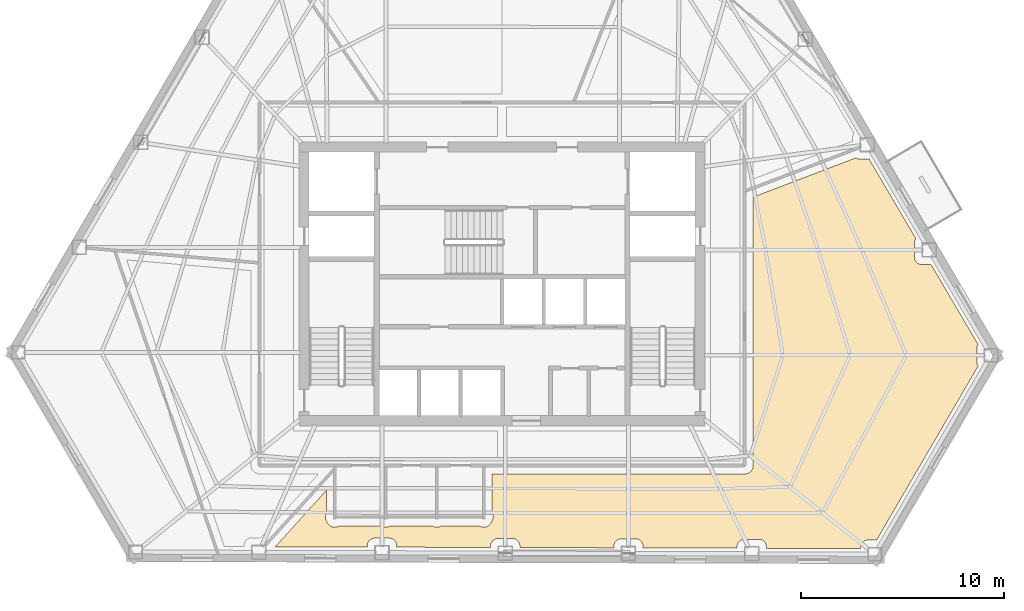
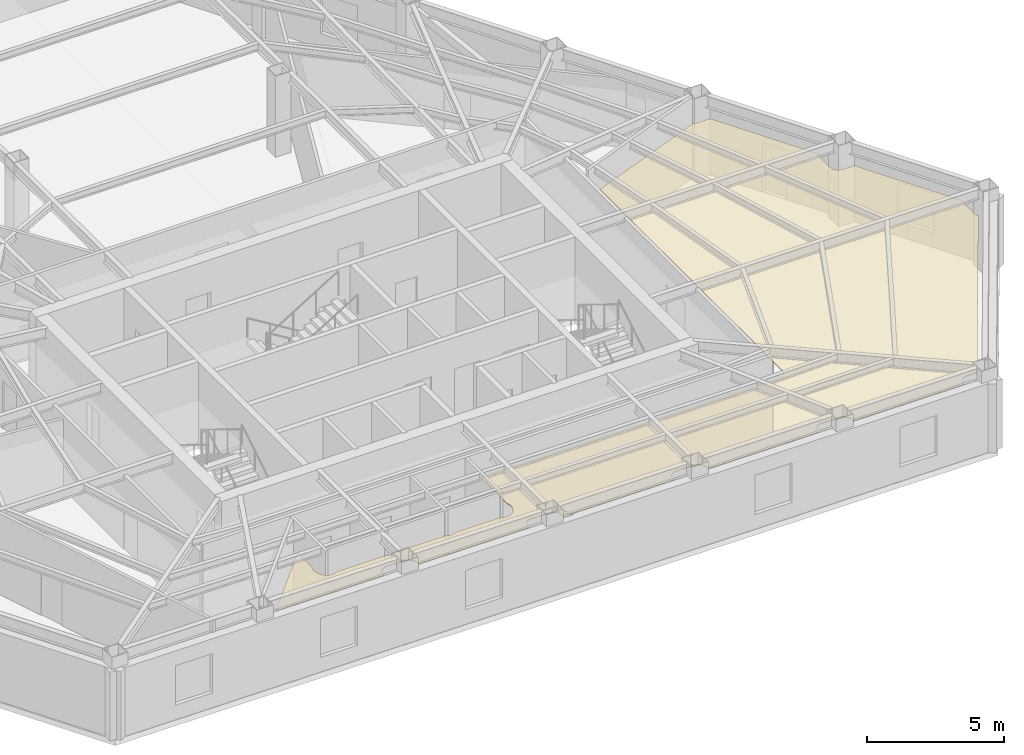
# One storey, part 9 of 11: 1 covering.
"""IFC4 building model written with IfcOpenShell, lengths in metres."""

from ifc_helpers import new_model, si_unit, direction, frame, origin, place, context, subcontext, project, spatial, polyline, outline, extrude, material, layer, layer_set, type_object, element, save


model = new_model("IFC4")

# Units and contexts
model_context = context("Model", 3, precision=1e-05, world=origin(), true_north=direction((0.0, 1.0)))
body_context = subcontext(model_context, "Body", "Model", "MODEL_VIEW")
ifc_project = project(units=[si_unit("LENGTHUNIT", "METRE"), si_unit("AREAUNIT", "SQUARE_METRE"), si_unit("VOLUMEUNIT", "CUBIC_METRE"), si_unit("PLANEANGLEUNIT", "RADIAN"), si_unit("MASSUNIT", "GRAM", prefix="KILO")], contexts=[model_context])

# Site, building, storey
site_placement = place(None, origin())
site = spatial("IfcSite", under=ifc_project, at=site_placement, CompositionType="ELEMENT")
building_placement = place(site_placement, origin())
building = spatial("IfcBuilding", under=site, at=building_placement, Name="Kavelnor Concourse Tower", CompositionType="ELEMENT")
storey_placement = place(building_placement, frame((0.0, 0.0, 127.85009765625)))
storey = spatial("IfcBuildingStorey", under=building, at=storey_placement, Name="L32", CompositionType="ELEMENT", Elevation=127.85009765625)

# Covering
ifc_material = material(Name="Mineral fibre acoustic ceiling tile")
ifc_layer = layer(ifc_material, 0.0400390625, Name="Mineral fibre acoustic ceiling tile")
ifc_layer_set = layer_set([ifc_layer], Name="Mineral fibre acoustic ceiling tile")
covering_type = type_object("IfcCoveringType", Name="COV-CEILING-ACOUSTIC", PredefinedType="CEILING", material=ifc_layer_set)
covering_placement = place(storey_placement, frame((0.0, 0.0, 2.75)))
element("IfcCovering", 1, at=covering_placement, inside=storey, type_object=covering_type, Name="L32 Suspended Acoustic Ceiling", PredefinedType="CEILING", context=body_context, shape_type="SweptSolid", body=[
    extrude(outline(polyline([(29.3349609375, 5.9189453125), (29.3349609375, 4.79541015625), (29.33251953125, 4.791015625), (29.3154296875, 4.755126953125), (29.302001953125, 4.7177734375), (29.29248046875, 4.67919921875), (29.28662109375, 4.6396484375), (29.28466796875, 4.60009765625), (29.28662109375, 4.560302734375), (29.29248046875, 4.52099609375), (29.302001953125, 4.482421875), (29.3154296875, 4.44482421875), (29.33251953125, 4.408935546875), (29.352783203125, 4.374755859375), (29.3564453125, 4.3701171875), (29.365478515625, 4.344970703125), (29.382568359375, 4.308837890625), (29.40283203125, 4.27490234375), (29.426513671875, 4.242919921875), (29.453369140625, 4.21337890625), (29.48291015625, 4.1865234375), (29.514892578125, 4.162841796875), (29.548828125, 4.142578125), (29.5849609375, 4.12548828125), (29.622314453125, 4.112060546875), (29.660888671875, 4.102294921875), (29.7001953125, 4.096435546875), (29.739990234375, 4.094482421875), (29.77978515625, 4.096435546875), (29.819091796875, 4.102294921875), (29.857666015625, 4.112060546875), (29.89501953125, 4.12548828125), (29.93115234375, 4.142578125), (29.96044921875, 4.159912109375), (32.03955078125, 4.159912109375), (32.06884765625, 4.142578125), (32.10498046875, 4.12548828125), (32.142333984375, 4.112060546875), (32.180908203125, 4.102294921875), (32.22021484375, 4.096435546875), (32.260009765625, 4.094482421875), (32.2998046875, 4.096435546875), (32.339111328125, 4.102294921875), (32.377685546875, 4.112060546875), (32.4150390625, 4.12548828125), (32.451171875, 4.142578125), (32.48046875, 4.159912109375), (34.5595703125, 4.159912109375), (34.5888671875, 4.142578125), (34.625, 4.12548828125), (34.662353515625, 4.112060546875), (34.700927734375, 4.102294921875), (34.740234375, 4.096435546875), (34.780029296875, 4.094482421875), (34.819580078125, 4.096435546875), (34.859130859375, 4.102294921875), (34.897705078125, 4.112060546875), (34.93505859375, 4.12548828125), (34.97119140625, 4.142578125), (35.00048828125, 4.159912109375), (36.879638671875, 4.159912109375), (36.908935546875, 4.142578125), (36.94482421875, 4.12548828125), (36.982421875, 4.112060546875), (37.02099609375, 4.102294921875), (37.060302734375, 4.096435546875), (37.10009765625, 4.094482421875), (37.1396484375, 4.096435546875), (37.17919921875, 4.102294921875), (37.2177734375, 4.112060546875), (37.255126953125, 4.12548828125), (37.291015625, 4.142578125), (37.3251953125, 4.162841796875), (37.357177734375, 4.1865234375), (37.38671875, 4.21337890625), (37.413330078125, 4.242919921875), (37.43701171875, 4.27490234375), (37.45751953125, 4.308837890625), (37.474609375, 4.344970703125), (37.4833984375, 4.3701171875), (37.487060546875, 4.374755859375), (37.507568359375, 4.408935546875), (37.524658203125, 4.44482421875), (37.5380859375, 4.482421875), (37.547607421875, 4.52099609375), (37.553466796875, 4.560302734375), (37.555419921875, 4.60009765625), (37.553466796875, 4.6396484375), (37.547607421875, 4.67919921875), (37.5380859375, 4.7177734375), (37.524658203125, 4.755126953125), (37.507568359375, 4.791015625), (37.5048828125, 4.79541015625), (37.5048828125, 6.7275390625), (49.978271484375, 6.7275390625), (50.011474609375, 6.72900390625), (50.052490234375, 6.735107421875), (50.0927734375, 6.745361328125), (50.1318359375, 6.75927734375), (50.16943359375, 6.777099609375), (50.205078125, 6.79833984375), (50.23828125, 6.822998046875), (50.26904296875, 6.85107421875), (50.296875, 6.881591796875), (50.321533203125, 6.9150390625), (50.343017578125, 6.95068359375), (50.360595703125, 6.98828125), (50.374755859375, 7.027099609375), (50.384765625, 7.0673828125), (50.390869140625, 7.1083984375), (50.392578125, 7.1416015625), (50.392578125, 20.38525390625), (55.45361328125, 22.31689453125), (55.455078125, 22.31591796875), (55.485595703125, 22.297607421875), (55.517578125, 22.282470703125), (55.55078125, 22.2705078125), (55.585205078125, 22.261962890625), (55.6201171875, 22.2568359375), (55.647216796875, 22.255615234375), (56.11376953125, 22.255615234375), (58.413818359375, 18.3408203125), (58.410400390625, 18.336669921875), (58.392333984375, 18.306396484375), (58.377197265625, 18.2744140625), (58.365234375, 18.240966796875), (58.356689453125, 18.206787109375), (58.3515625, 18.171630859375), (58.35009765625, 18.144775390625), (58.35009765625, 17.408203125), (58.3515625, 17.381103515625), (58.356689453125, 17.34619140625), (58.365234375, 17.311767578125), (58.377197265625, 17.278564453125), (58.392333984375, 17.24658203125), (58.410400390625, 17.21630859375), (58.431640625, 17.187744140625), (58.455322265625, 17.16162109375), (58.481689453125, 17.1376953125), (58.510009765625, 17.11669921875), (58.540283203125, 17.098388671875), (58.572265625, 17.08349609375), (58.605712890625, 17.071533203125), (58.639892578125, 17.06298828125), (58.6748046875, 17.0576171875), (58.701904296875, 17.056396484375), (59.16845703125, 17.056396484375), (61.48388671875, 13.115478515625), (61.467041015625, 13.087158203125), (61.451904296875, 13.05517578125), (61.440185546875, 13.02197265625), (61.431396484375, 12.987548828125), (61.42626953125, 12.95263671875), (61.425048828125, 12.925537109375), (61.425048828125, 12.22900390625), (61.42626953125, 12.201904296875), (61.431396484375, 12.1669921875), (61.440185546875, 12.1328125), (61.451904296875, 12.099365234375), (61.467041015625, 12.0673828125), (61.4853515625, 12.037109375), (61.4853515625, 12.037109375), (56.480224609375, 3.4609375), (56.047607421875, 3.4609375), (56.0205078125, 3.459716796875), (55.985595703125, 3.45458984375), (55.951171875, 3.44580078125), (55.91796875, 3.43408203125), (55.885986328125, 3.4189453125), (55.855712890625, 3.400634765625), (55.8271484375, 3.379638671875), (55.801025390625, 3.355712890625), (55.777099609375, 3.32958984375), (55.756103515625, 3.30126953125), (55.73779296875, 3.27099609375), (55.722900390625, 3.239013671875), (55.7109375, 3.20556640625), (55.702392578125, 3.17138671875), (55.697021484375, 3.13623046875), (55.69580078125, 3.109375), (55.69580078125, 3.043212890625), (51.035400390625, 3.056640625), (51.035400390625, 3.147216796875), (51.0341796875, 3.174072265625), (51.02880859375, 3.208984375), (51.020263671875, 3.243408203125), (51.00830078125, 3.276611328125), (50.993408203125, 3.30859375), (50.97509765625, 3.339111328125), (50.9541015625, 3.367431640625), (50.93017578125, 3.3935546875), (50.904052734375, 3.41748046875), (50.87548828125, 3.4384765625), (50.84521484375, 3.456787109375), (50.813232421875, 3.4716796875), (50.780029296875, 3.483642578125), (50.74560546875, 3.4921875), (50.710693359375, 3.49755859375), (50.68359375, 3.498779296875), (49.947021484375, 3.498779296875), (49.920166015625, 3.49755859375), (49.885009765625, 3.4921875), (49.850830078125, 3.483642578125), (49.8173828125, 3.4716796875), (49.785400390625, 3.456787109375), (49.755126953125, 3.4384765625), (49.726806640625, 3.41748046875), (49.70068359375, 3.3935546875), (49.6767578125, 3.367431640625), (49.65576171875, 3.339111328125), (49.637451171875, 3.30859375), (49.622314453125, 3.276611328125), (49.610595703125, 3.243408203125), (49.601806640625, 3.208984375), (49.5966796875, 3.174072265625), (49.595458984375, 3.147216796875), (49.595458984375, 3.060791015625), (44.955078125, 3.074462890625), (44.955078125, 3.164794921875), (44.953857421875, 3.19189453125), (44.948486328125, 3.226806640625), (44.93994140625, 3.260986328125), (44.927978515625, 3.29443359375), (44.9130859375, 3.326416015625), (44.894775390625, 3.356689453125), (44.873779296875, 3.385009765625), (44.849853515625, 3.411376953125), (44.82373046875, 3.43505859375), (44.79541015625, 3.456298828125), (44.764892578125, 3.474365234375), (44.73291015625, 3.489501953125), (44.69970703125, 3.50146484375), (44.665283203125, 3.510009765625), (44.63037109375, 3.51513671875), (44.603515625, 3.5166015625), (43.86669921875, 3.5166015625), (43.83984375, 3.51513671875), (43.8046875, 3.510009765625), (43.7705078125, 3.50146484375), (43.7373046875, 3.489501953125), (43.705078125, 3.474365234375), (43.6748046875, 3.456298828125), (43.646484375, 3.43505859375), (43.620361328125, 3.411376953125), (43.596435546875, 3.385009765625), (43.575439453125, 3.356689453125), (43.55712890625, 3.326416015625), (43.5419921875, 3.29443359375), (43.5302734375, 3.260986328125), (43.521484375, 3.226806640625), (43.516357421875, 3.19189453125), (43.51513671875, 3.164794921875), (43.51513671875, 3.07861328125), (38.874755859375, 3.09228515625), (38.874755859375, 3.1826171875), (38.873291015625, 3.209716796875), (38.8681640625, 3.24462890625), (38.859619140625, 3.27880859375), (38.84765625, 3.312255859375), (38.83251953125, 3.34423828125), (38.814453125, 3.37451171875), (38.793212890625, 3.40283203125), (38.76953125, 3.42919921875), (38.743408203125, 3.452880859375), (38.71484375, 3.47412109375), (38.6845703125, 3.4921875), (38.652587890625, 3.50732421875), (38.619384765625, 3.519287109375), (38.5849609375, 3.52783203125), (38.550048828125, 3.532958984375), (38.52294921875, 3.5341796875), (37.786376953125, 3.5341796875), (37.759521484375, 3.532958984375), (37.724365234375, 3.52783203125), (37.690185546875, 3.519287109375), (37.65673828125, 3.50732421875), (37.624755859375, 3.4921875), (37.594482421875, 3.47412109375), (37.566162109375, 3.452880859375), (37.539794921875, 3.42919921875), (37.51611328125, 3.40283203125), (37.4951171875, 3.37451171875), (37.476806640625, 3.34423828125), (37.461669921875, 3.312255859375), (37.44970703125, 3.27880859375), (37.441162109375, 3.24462890625), (37.43603515625, 3.209716796875), (37.434814453125, 3.1826171875), (37.434814453125, 3.096435546875), (32.79443359375, 3.110107421875), (32.79443359375, 3.200439453125), (32.793212890625, 3.227294921875), (32.787841796875, 3.262451171875), (32.779296875, 3.296630859375), (32.767333984375, 3.330078125), (32.752197265625, 3.362060546875), (32.734130859375, 3.392333984375), (32.712890625, 3.420654296875), (32.689208984375, 3.447021484375), (32.6630859375, 3.470703125), (32.634521484375, 3.49169921875), (32.604248046875, 3.510009765625), (32.572265625, 3.525146484375), (32.5390625, 3.537109375), (32.504638671875, 3.545654296875), (32.4697265625, 3.55078125), (32.442626953125, 3.552001953125), (31.7060546875, 3.552001953125), (31.67919921875, 3.55078125), (31.64404296875, 3.545654296875), (31.60986328125, 3.537109375), (31.576416015625, 3.525146484375), (31.54443359375, 3.510009765625), (31.51416015625, 3.49169921875), (31.48583984375, 3.470703125), (31.459716796875, 3.447021484375), (31.435791015625, 3.420654296875), (31.414794921875, 3.392333984375), (31.396484375, 3.362060546875), (31.38134765625, 3.330078125), (31.369384765625, 3.296630859375), (31.36083984375, 3.262451171875), (31.355712890625, 3.227294921875), (31.3544921875, 3.200439453125), (31.3544921875, 3.1142578125), (26.8056640625, 3.12744140625), (29.3349609375, 5.9189453125)])), origin(), (0.0, 0.0, 1.0), 0.039794921875),
])

save(model, "model.ifc")
